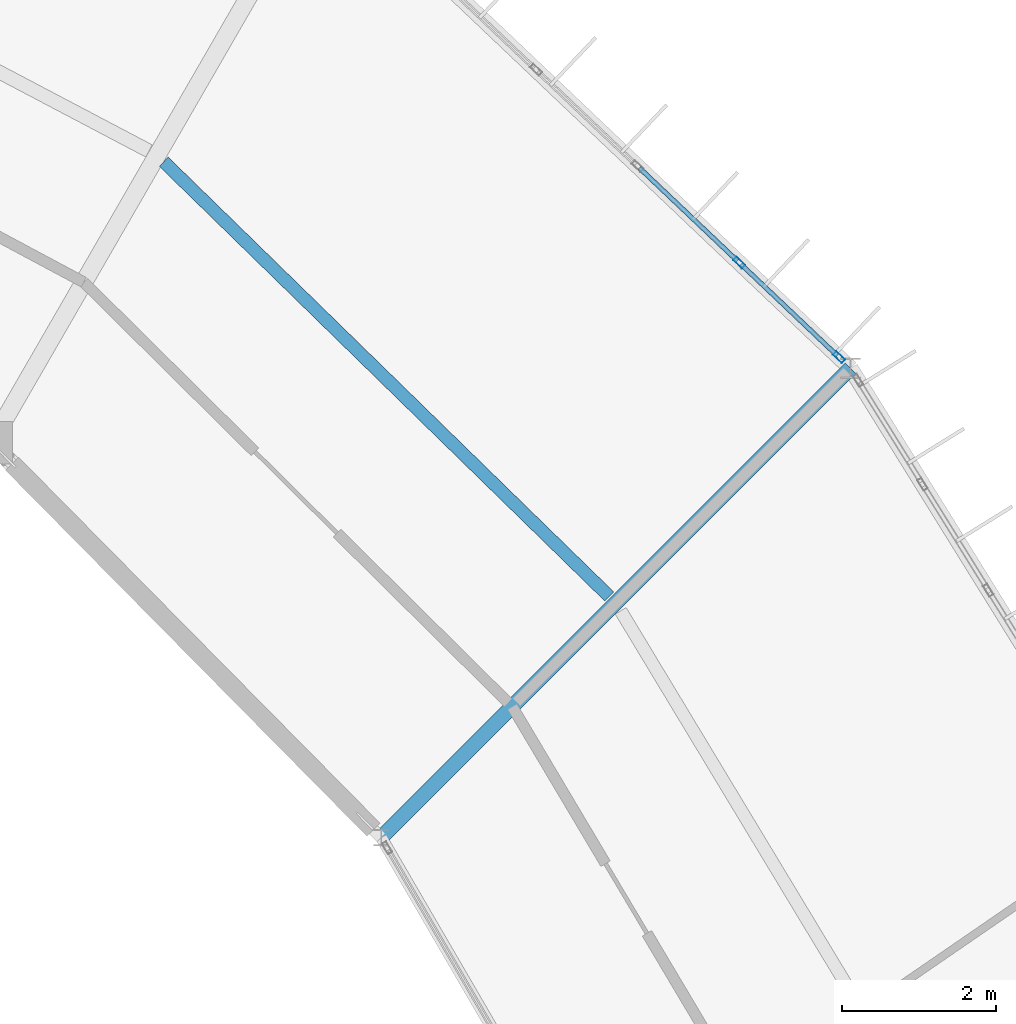
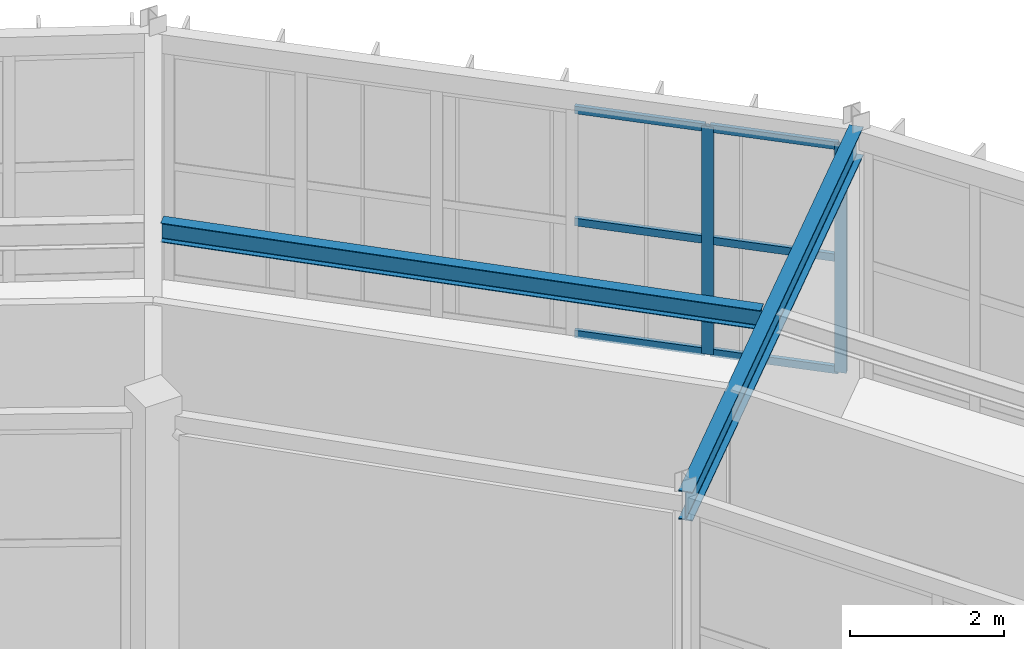
# One storey, part 78 of 134: 8 members, 2 beams, 1 element without a shape of its own.
"""IFC4 building model written with IfcOpenShell, lengths in metres."""

from ifc_helpers import new_model, si_unit, direction, frame, origin, origin_2d, place, context, subcontext, project, spatial, hollow_rectangle, i_section, extrude, material, material_profile, profile_set, type_object, element, aggregate, save


model = new_model("IFC4")

# Units and contexts
model_context = context("Model", 3, precision=1e-05, world=origin(), true_north=direction((0.0, 1.0)))
body_context = subcontext(model_context, "Body", "Model", "MODEL_VIEW")
ifc_project = project(units=[si_unit("LENGTHUNIT", "METRE"), si_unit("AREAUNIT", "SQUARE_METRE"), si_unit("VOLUMEUNIT", "CUBIC_METRE"), si_unit("PLANEANGLEUNIT", "RADIAN"), si_unit("MASSUNIT", "GRAM", prefix="KILO")], contexts=[model_context])

# Site, building, storey
site_placement = place(None, origin())
site = spatial("IfcSite", under=ifc_project, at=site_placement, CompositionType="ELEMENT")
building_placement = place(site_placement, origin())
building = spatial("IfcBuilding", under=site, at=building_placement, Name="Karori Crest Natural Sciences Institute", CompositionType="ELEMENT")
storey_placement = place(building_placement, frame((0.0, 0.0, 21.699951171875)))
storey = spatial("IfcBuildingStorey", under=building, at=storey_placement, Name="L05", CompositionType="ELEMENT", Elevation=21.699951171875)

# Beams
ifc_material_1 = material(Name="Structural steel AS/NZS 3679.1 Grade 350", Category="steel")
ifc_material_profile_1 = material_profile(ifc_material_1, i_section(OverallWidth=0.19091796875, OverallDepth=0.4599609375, WebThickness=0.010009765625, FlangeThickness=0.01611328125, FilletRadius=0.010986328125, at=origin_2d()), Name="460UB82.1")
ifc_profile_set_1 = profile_set([ifc_material_profile_1], Name="Structural steel AS/NZS 3679.1 Grade 350")
beam_type_1 = type_object("IfcBeamType", Name="BT-06", PredefinedType="BEAM", material=ifc_profile_set_1)
beam_1_placement = place(storey_placement, frame((83.6533203125, 72.668701171875, 3.7099609375), z_axis=(0.707106781187, 0.707106781187, 0.0), x_axis=(-0.707106781187, 0.707106781187, 0.0)))
element("IfcBeam", 1, at=beam_1_placement, inside=storey, type_object=beam_type_1, Name="Beam B-0553", PredefinedType="BEAM", context=body_context, shape_type="SweptSolid", body=[
    extrude(i_section(OverallWidth=0.19091796875, OverallDepth=0.4599609375, WebThickness=0.010009765625, FlangeThickness=0.01611328125, FilletRadius=0.010986328125, at=origin_2d()), origin(), (0.0, 0.0, 1.0), 8.600341796875),
])
ifc_material_profile_2 = material_profile(ifc_material_1, i_section(OverallWidth=0.166015625, OverallDepth=0.306884765625, WebThickness=0.006591796875, FlangeThickness=0.01171875, FilletRadius=0.010986328125, at=origin_2d()), Name="310UB46.2")
ifc_profile_set_2 = profile_set([ifc_material_profile_2], Name="Structural steel AS/NZS 3679.1 Grade 350")
beam_type_2 = type_object("IfcBeamType", Name="BT-09", PredefinedType="BEAM", material=ifc_profile_set_2)
beam_2_placement = place(storey_placement, frame((86.608154296875, 75.793212890625, 3.78662109375), z_axis=(-0.715696324431, 0.698411605857, 0.0), x_axis=(-0.698411605857, -0.715696324431, 0.0)))
element("IfcBeam", 2, at=beam_2_placement, inside=storey, type_object=beam_type_2, Name="Beam B-0554", PredefinedType="BEAM", context=body_context, shape_type="SweptSolid", body=[
    extrude(i_section(OverallWidth=0.166015625, OverallDepth=0.306884765625, WebThickness=0.006591796875, FlangeThickness=0.01171875, FilletRadius=0.010986328125, at=origin_2d()), origin(), (0.0, 0.0, 1.0), 8.065185546875),
])

# Curtain wall, members
ifc_material_2 = material(Name="Anodised architectural aluminium 6063-T6", Category="aluminium")
curtain_wall_type = type_object("IfcCurtainWallType", Name="CWT-04", PredefinedType="NOTDEFINED", material=ifc_material_2)
curtain_wall_placement = place(storey_placement, origin())
curtain_wall = element("IfcCurtainWall", 3, at=curtain_wall_placement, inside=storey, type_object=curtain_wall_type, Name="Curtain wall CW-0177", PredefinedType="NOTDEFINED")
ifc_material_profile_3 = material_profile(ifc_material_2, hollow_rectangle(XDim=0.06494140625, YDim=0.159912109375, WallThickness=0.00390625, at=origin_2d()), Name="CWM160x65x4")
ifc_profile_set_3 = profile_set([ifc_material_profile_3], Name="Anodised architectural aluminium 6063-T6")
member_type_1 = type_object("IfcMemberType", Name="CWM-01", PredefinedType="MULLION", material=ifc_profile_set_3)
member_1_placement = place(storey_placement, frame((88.29150390625, 80.118896484375, 0.0), z_axis=(0.0, 0.0, 1.0), x_axis=(0.688252251648, 0.725471459192, 0.0)))
member_1 = element("IfcMember", 4, at=member_1_placement, type_object=member_type_1, Name="CW-0177 mullion 5", PredefinedType="MULLION", context=body_context, shape_type="SweptSolid", body=[
    extrude(hollow_rectangle(XDim=0.06494140625, YDim=0.159912109375, WallThickness=0.00390625, at=origin_2d()), origin(), (0.0, 0.0, 1.0), 3.625),
])
member_2_placement = place(storey_placement, frame((89.58447265625, 78.892333984375, 0.0), z_axis=(0.0, 0.0, 1.0), x_axis=(0.688252251648, 0.725471459192, 0.0)))
member_2 = element("IfcMember", 5, at=member_2_placement, type_object=member_type_1, Name="CW-0177 mullion 6", PredefinedType="MULLION", context=body_context, shape_type="SweptSolid", body=[
    extrude(hollow_rectangle(XDim=0.06494140625, YDim=0.159912109375, WallThickness=0.00390625, at=origin_2d()), origin(), (0.0, 0.0, 1.0), 3.625),
])
ifc_material_profile_4 = material_profile(ifc_material_2, hollow_rectangle(XDim=0.06005859375, YDim=0.1201171875, WallThickness=0.00390625, at=origin_2d()), Name="CWT120x60x4")
ifc_profile_set_4 = profile_set([ifc_material_profile_4], Name="Anodised architectural aluminium 6063-T6")
member_type_2 = type_object("IfcMemberType", Name="CWT-TR1", PredefinedType="USERDEFINED", material=ifc_profile_set_4)
member_3_placement = place(storey_placement, frame((86.99853515625, 81.345458984375, 0.030029296875), z_axis=(0.725490496247, -0.688232184553, 0.0), x_axis=(0.688232184553, 0.725490496247, 0.0)))
member_3 = element("IfcMember", 6, at=member_3_placement, type_object=member_type_2, Name="CW-0177 transom 4.1", ObjectType="TRANSOM", PredefinedType="USERDEFINED", context=body_context, shape_type="SweptSolid", body=[
    extrude(hollow_rectangle(XDim=0.06005859375, YDim=0.1201171875, WallThickness=0.00390625, at=origin_2d()), origin(), (0.0, 0.0, 1.0), 1.74951171875),
])
member_4_placement = place(storey_placement, frame((86.99853515625, 81.345458984375, 1.8125), z_axis=(0.725490496247, -0.688232184553, 0.0), x_axis=(0.688232184553, 0.725490496247, 0.0)))
member_4 = element("IfcMember", 7, at=member_4_placement, type_object=member_type_2, Name="CW-0177 transom 4.2", ObjectType="TRANSOM", PredefinedType="USERDEFINED", context=body_context, shape_type="SweptSolid", body=[
    extrude(hollow_rectangle(XDim=0.06005859375, YDim=0.1201171875, WallThickness=0.00390625, at=origin_2d()), origin(), (0.0, 0.0, 1.0), 1.74951171875),
])
member_5_placement = place(storey_placement, frame((86.99853515625, 81.345458984375, 3.594970703125), z_axis=(0.725490496247, -0.688232184553, 0.0), x_axis=(0.688232184553, 0.725490496247, 0.0)))
member_5 = element("IfcMember", 8, at=member_5_placement, type_object=member_type_2, Name="CW-0177 transom 4.3", ObjectType="TRANSOM", PredefinedType="USERDEFINED", context=body_context, shape_type="SweptSolid", body=[
    extrude(hollow_rectangle(XDim=0.06005859375, YDim=0.1201171875, WallThickness=0.00390625, at=origin_2d()), origin(), (0.0, 0.0, 1.0), 1.74951171875),
])
member_6_placement = place(storey_placement, frame((88.315185546875, 80.0966796875, 0.030029296875), z_axis=(0.725418188491, -0.688308398762, 0.0), x_axis=(0.688308398762, 0.725418188491, 0.0)))
member_6 = element("IfcMember", 9, at=member_6_placement, type_object=member_type_2, Name="CW-0177 transom 5.1", ObjectType="TRANSOM", PredefinedType="USERDEFINED", context=body_context, shape_type="SweptSolid", body=[
    extrude(hollow_rectangle(XDim=0.06005859375, YDim=0.1201171875, WallThickness=0.00390625, at=origin_2d()), origin(), (0.0, 0.0, 1.0), 1.717041015625),
])
member_7_placement = place(storey_placement, frame((88.315185546875, 80.0966796875, 1.8125), z_axis=(0.725418188491, -0.688308398762, 0.0), x_axis=(0.688308398762, 0.725418188491, 0.0)))
member_7 = element("IfcMember", 10, at=member_7_placement, type_object=member_type_2, Name="CW-0177 transom 5.2", ObjectType="TRANSOM", PredefinedType="USERDEFINED", context=body_context, shape_type="SweptSolid", body=[
    extrude(hollow_rectangle(XDim=0.06005859375, YDim=0.1201171875, WallThickness=0.00390625, at=origin_2d()), origin(), (0.0, 0.0, 1.0), 1.717041015625),
])
member_8_placement = place(storey_placement, frame((88.315185546875, 80.0966796875, 3.594970703125), z_axis=(0.725418188491, -0.688308398762, 0.0), x_axis=(0.688308398762, 0.725418188491, 0.0)))
member_8 = element("IfcMember", 11, at=member_8_placement, type_object=member_type_2, Name="CW-0177 transom 5.3", ObjectType="TRANSOM", PredefinedType="USERDEFINED", context=body_context, shape_type="SweptSolid", body=[
    extrude(hollow_rectangle(XDim=0.06005859375, YDim=0.1201171875, WallThickness=0.00390625, at=origin_2d()), origin(), (0.0, 0.0, 1.0), 1.717041015625),
])
aggregate(curtain_wall, [member_1, member_2, member_3, member_4, member_5, member_6, member_7, member_8])

save(model, "model.ifc")
